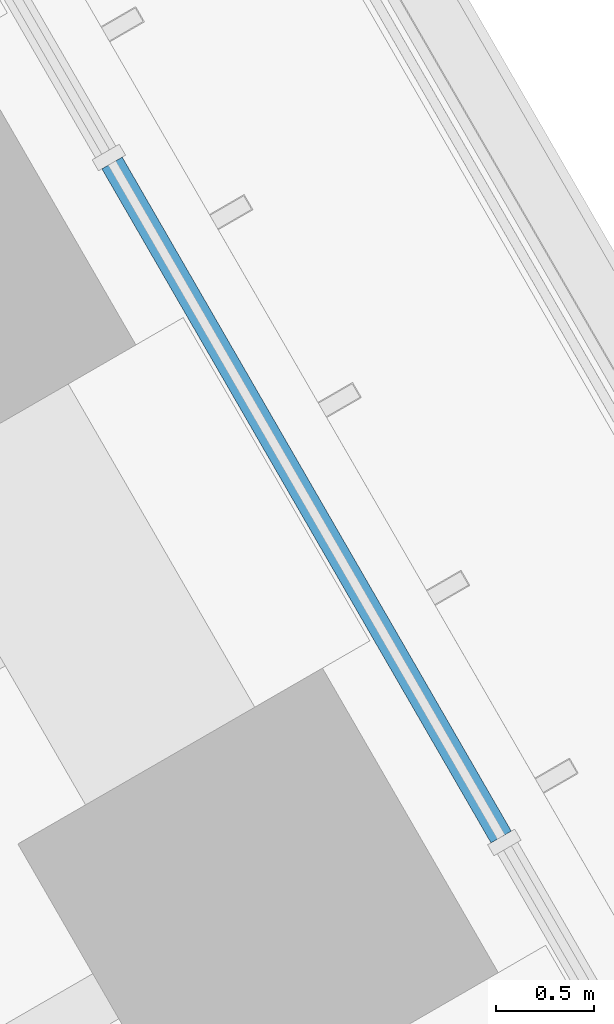
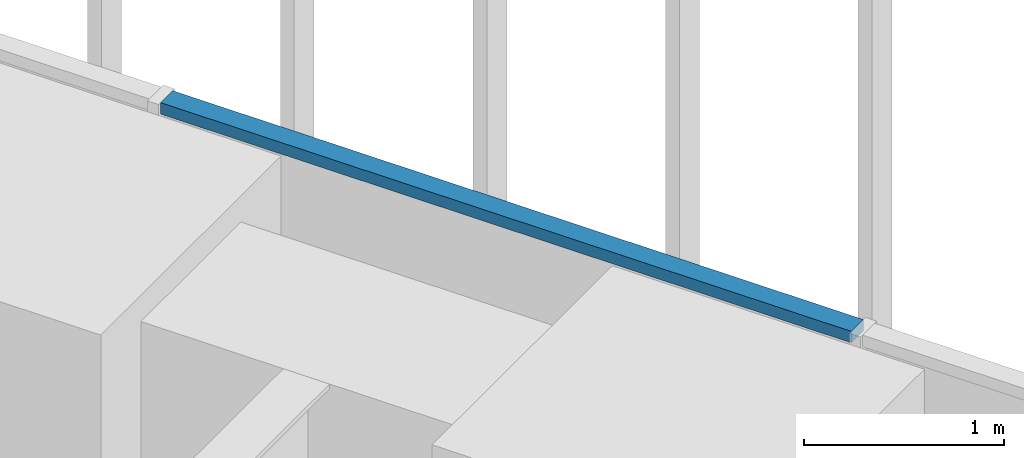
# One storey, part 189 of 228: 1 member, 1 element without a shape of its own.
"""IFC4 building model written with IfcOpenShell, lengths in metres."""

from ifc_helpers import new_model, si_unit, direction, frame, origin, origin_2d, place, context, subcontext, project, spatial, rectangle, extrude, material, material_profile, profile_set, type_object, element, aggregate, save


model = new_model("IFC4")

# Units and contexts
model_context = context("Model", 3, precision=1e-05, world=origin(), true_north=direction((0.0, 1.0)))
body_context = subcontext(model_context, "Body", "Model", "MODEL_VIEW")
ifc_project = project(units=[si_unit("LENGTHUNIT", "METRE"), si_unit("AREAUNIT", "SQUARE_METRE"), si_unit("VOLUMEUNIT", "CUBIC_METRE"), si_unit("PLANEANGLEUNIT", "RADIAN"), si_unit("MASSUNIT", "GRAM", prefix="KILO")], contexts=[model_context])

# Site, building, storey
site_placement = place(None, origin())
site = spatial("IfcSite", under=ifc_project, at=site_placement, CompositionType="ELEMENT")
building_placement = place(site_placement, origin())
building = spatial("IfcBuilding", under=site, at=building_placement, Name="Sandreach Pilgrim Tower", CompositionType="ELEMENT")
storey_placement = place(building_placement, frame((0.0, 0.0, 178.199951171875)))
storey = spatial("IfcBuildingStorey", under=building, at=storey_placement, Name="L44", CompositionType="ELEMENT", Elevation=178.199951171875)

# Curtain wall, member
ifc_material_1 = material(Name="Aluminium framed curtain wall", Category="aluminium")
curtain_wall_type = type_object("IfcCurtainWallType", Name="Upper hotel tower curtain wall", PredefinedType="NOTDEFINED", material=ifc_material_1)
curtain_wall_placement = place(storey_placement, origin())
curtain_wall = element("IfcCurtainWall", 1, at=curtain_wall_placement, inside=storey, type_object=curtain_wall_type, Name="CW-3 L44 NE", PredefinedType="NOTDEFINED")
ifc_material_2 = material(Name="Aluminium extrusion", Category="aluminium")
ifc_material_profile = material_profile(ifc_material_2, rectangle(XDim=0.1201171875, YDim=0.070068359375, at=origin_2d()), Name="CW-3T 120X70")
ifc_profile_set = profile_set([ifc_material_profile], Name="Aluminium extrusion")
member_type = type_object("IfcMemberType", Name="CW-3 transom", PredefinedType="USERDEFINED", material=ifc_profile_set)
member_placement = place(storey_placement, frame((22.98779296875, 13.234375, 4.804931640625), z_axis=(0.499975332564, -0.866039645067, 0.0), x_axis=(0.866039645067, 0.499975332564, 0.0)))
member = element("IfcMember", 2, at=member_placement, type_object=member_type, Name="CW-3 head transom 3", ObjectType="TRANSOM", PredefinedType="USERDEFINED", context=body_context, shape_type="SweptSolid", body=[
    extrude(rectangle(XDim=0.1201171875, YDim=0.070068359375, at=origin_2d()), origin(), (0.0, 0.0, 1.0), 3.983642578125),
])
aggregate(curtain_wall, [member])

save(model, "model.ifc")
